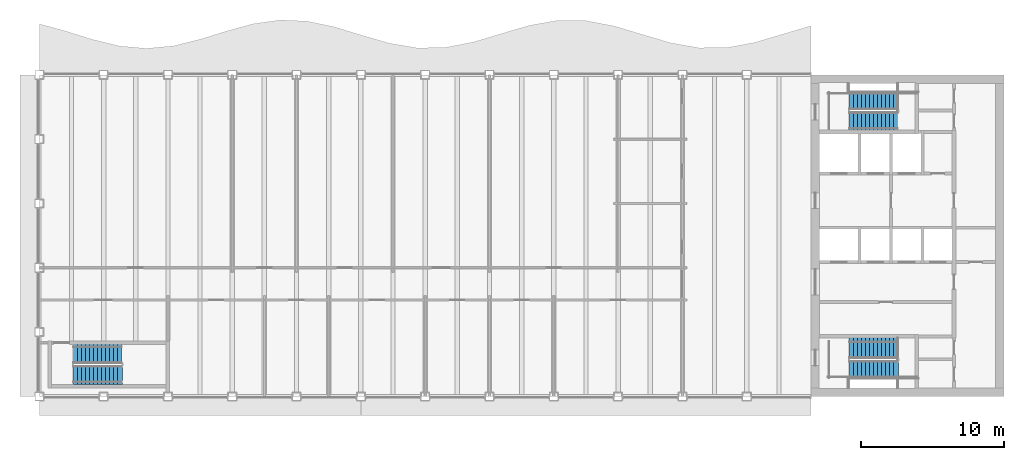
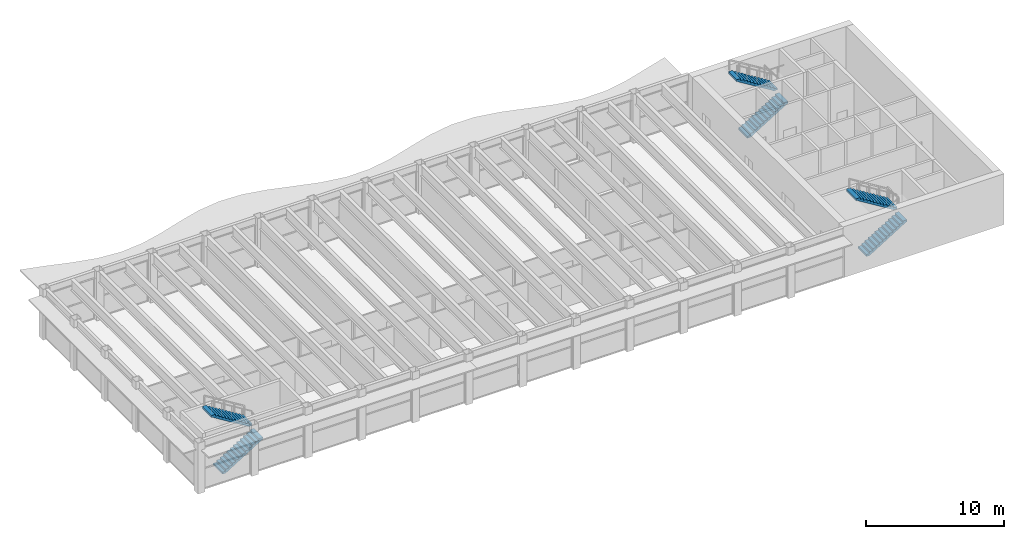
# One storey, part 11 of 14: 6 stair flights, 3 elements without a shape of their own.
"""IFC4 building model written with IfcOpenShell, lengths in metres."""

from ifc_helpers import new_model, si_unit, direction, frame, origin, place, context, subcontext, project, spatial, polyline, outline, extrude, material, type_object, element, aggregate, save


model = new_model("IFC4")

# Units and contexts
model_context = context("Model", 3, precision=1e-05, world=origin(), true_north=direction((0.0, 1.0)))
body_context = subcontext(model_context, "Body", "Model", "MODEL_VIEW")
ifc_project = project(units=[si_unit("LENGTHUNIT", "METRE"), si_unit("AREAUNIT", "SQUARE_METRE"), si_unit("VOLUMEUNIT", "CUBIC_METRE"), si_unit("PLANEANGLEUNIT", "RADIAN"), si_unit("MASSUNIT", "GRAM", prefix="KILO")], contexts=[model_context])

# Site, building, storey
site_placement = place(None, origin())
site = spatial("IfcSite", under=ifc_project, at=site_placement, CompositionType="ELEMENT")
building_placement = place(site_placement, origin())
building = spatial("IfcBuilding", under=site, at=building_placement, Name="Sennacour Bend Tower", CompositionType="ELEMENT")
storey_placement = place(building_placement, frame((0.0, 0.0, 336.5)))
storey = spatial("IfcBuildingStorey", under=building, at=storey_placement, Name="L77", CompositionType="ELEMENT", Elevation=336.5)

# Stair, stair flights
ifc_material = material(Name="Concrete C40/50", Category="concrete")
stair_type = type_object("IfcStairType", Name="ST-DOGLEG", PredefinedType="HALF_TURN_STAIR", material=ifc_material)
stair_1_placement = place(storey_placement, origin())
stair_1 = element("IfcStair", 1, at=stair_1_placement, inside=storey, type_object=stair_type, Name="L77 Exit stair A1", PredefinedType="HALF_TURN_STAIR")
stair_flight_type = type_object("IfcStairFlightType", Name="SFL-RC", PredefinedType="STRAIGHT", material=ifc_material)
stair_flight_1_placement = place(storey_placement, frame((56.699951171875, 1.89990234375, 0.0), z_axis=(0.0, 0.0, 1.0), x_axis=(1.0, 0.0, 0.0)))
stair_flight_1 = element("IfcStairFlight", 2, at=stair_flight_1_placement, type_object=stair_flight_type, Name="SA1 flight 1", NumberOfRisers=13, NumberOfTreads=12, PredefinedType="STRAIGHT", RiserHeight=0.173076923, TreadLength=0.28, context=body_context, shape_type="SweptSolid", body=[
    extrude(outline(polyline([(0.0, 0.0), (0.0, 0.173095703125), (0.280029296875, 0.173095703125), (0.280029296875, 0.34619140625), (0.56005859375, 0.34619140625), (0.56005859375, 0.519287109375), (0.840087890625, 0.519287109375), (0.840087890625, 0.6923828125), (1.1201171875, 0.6923828125), (1.1201171875, 0.865478515625), (1.39990234375, 0.865478515625), (1.39990234375, 1.03857421875), (1.679931640625, 1.03857421875), (1.679931640625, 1.21142578125), (1.9599609375, 1.21142578125), (1.9599609375, 1.384521484375), (2.239990234375, 1.384521484375), (2.239990234375, 1.5576171875), (2.52001953125, 1.5576171875), (2.52001953125, 1.730712890625), (2.800048828125, 1.730712890625), (2.800048828125, 1.90380859375), (3.080078125, 1.90380859375), (3.080078125, 2.076904296875), (3.360107421875, 2.076904296875), (3.419921875, 2.076904296875), (3.419921875, 1.900634765625), (3.360107421875, 1.900634765625), (0.28515625, 0.0), (0.0, 0.0)])), frame((0.0, 0.60009765625, 0.0), z_axis=(0.0, -1.0, 0.0), x_axis=(1.0, 0.0, 0.0)), (0.0, 0.0, 1.0), 1.199951171875),
])
stair_flight_2_placement = place(storey_placement, frame((60.06005859375, 3.37744140625, 2.25), z_axis=(0.0, 0.0, 1.0), x_axis=(-1.0, 0.0, 0.0)))
stair_flight_2 = element("IfcStairFlight", 3, at=stair_flight_2_placement, type_object=stair_flight_type, Name="SA1 flight 2", NumberOfRisers=13, NumberOfTreads=12, PredefinedType="STRAIGHT", RiserHeight=0.173076923, TreadLength=0.28, context=body_context, shape_type="SweptSolid", body=[
    extrude(outline(polyline([(0.0, 0.0), (0.0, 0.173095703125), (0.280029296875, 0.173095703125), (0.280029296875, 0.34619140625), (0.56005859375, 0.34619140625), (0.56005859375, 0.519287109375), (0.840087890625, 0.519287109375), (0.840087890625, 0.6923828125), (1.1201171875, 0.6923828125), (1.1201171875, 0.865478515625), (1.39990234375, 0.865478515625), (1.39990234375, 1.03857421875), (1.679931640625, 1.03857421875), (1.679931640625, 1.21142578125), (1.9599609375, 1.21142578125), (1.9599609375, 1.384521484375), (2.239990234375, 1.384521484375), (2.239990234375, 1.5576171875), (2.52001953125, 1.5576171875), (2.52001953125, 1.730712890625), (2.800048828125, 1.730712890625), (2.800048828125, 1.90380859375), (3.080078125, 1.90380859375), (3.080078125, 2.076904296875), (3.360107421875, 2.076904296875), (3.419921875, 2.076904296875), (3.419921875, 1.900634765625), (3.360107421875, 1.900634765625), (0.28515625, 0.0), (0.0, 0.0)])), frame((0.0, 0.7275390625, 0.0), z_axis=(0.0, -1.0, 0.0), x_axis=(1.0, 0.0, 0.0)), (0.0, 0.0, 1.0), 1.455078125),
])
aggregate(stair_1, [stair_flight_1, stair_flight_2])

stair_2_placement = place(storey_placement, origin())
stair_2 = element("IfcStair", 4, at=stair_2_placement, inside=storey, type_object=stair_type, Name="L77 Exit stair A2", PredefinedType="HALF_TURN_STAIR")
stair_flight_3_placement = place(storey_placement, frame((56.699951171875, 19.24755859375, 0.0), z_axis=(0.0, 0.0, 1.0), x_axis=(1.0, 0.0, 0.0)))
stair_flight_3 = element("IfcStairFlight", 5, at=stair_flight_3_placement, type_object=stair_flight_type, Name="SA2 flight 1", NumberOfRisers=13, NumberOfTreads=12, PredefinedType="STRAIGHT", RiserHeight=0.173076923, TreadLength=0.28, context=body_context, shape_type="SweptSolid", body=[
    extrude(outline(polyline([(0.0, 0.0), (0.0, 0.173095703125), (0.280029296875, 0.173095703125), (0.280029296875, 0.34619140625), (0.56005859375, 0.34619140625), (0.56005859375, 0.519287109375), (0.840087890625, 0.519287109375), (0.840087890625, 0.6923828125), (1.1201171875, 0.6923828125), (1.1201171875, 0.865478515625), (1.39990234375, 0.865478515625), (1.39990234375, 1.03857421875), (1.679931640625, 1.03857421875), (1.679931640625, 1.21142578125), (1.9599609375, 1.21142578125), (1.9599609375, 1.384521484375), (2.239990234375, 1.384521484375), (2.239990234375, 1.5576171875), (2.52001953125, 1.5576171875), (2.52001953125, 1.730712890625), (2.800048828125, 1.730712890625), (2.800048828125, 1.90380859375), (3.080078125, 1.90380859375), (3.080078125, 2.076904296875), (3.360107421875, 2.076904296875), (3.419921875, 2.076904296875), (3.419921875, 1.900634765625), (3.360107421875, 1.900634765625), (0.28515625, 0.0), (0.0, 0.0)])), frame((0.0, 0.65234375, 0.0), z_axis=(0.0, -1.0, 0.0), x_axis=(1.0, 0.0, 0.0)), (0.0, 0.0, 1.0), 1.304931640625),
])
stair_flight_4_placement = place(storey_placement, frame((60.06005859375, 20.64990234375, 2.25), z_axis=(0.0, 0.0, 1.0), x_axis=(-1.0, 0.0, 0.0)))
stair_flight_4 = element("IfcStairFlight", 6, at=stair_flight_4_placement, type_object=stair_flight_type, Name="SA2 flight 2", NumberOfRisers=13, NumberOfTreads=12, PredefinedType="STRAIGHT", RiserHeight=0.173076923, TreadLength=0.28, context=body_context, shape_type="SweptSolid", body=[
    extrude(outline(polyline([(0.0, 0.0), (0.0, 0.173095703125), (0.280029296875, 0.173095703125), (0.280029296875, 0.34619140625), (0.56005859375, 0.34619140625), (0.56005859375, 0.519287109375), (0.840087890625, 0.519287109375), (0.840087890625, 0.6923828125), (1.1201171875, 0.6923828125), (1.1201171875, 0.865478515625), (1.39990234375, 0.865478515625), (1.39990234375, 1.03857421875), (1.679931640625, 1.03857421875), (1.679931640625, 1.21142578125), (1.9599609375, 1.21142578125), (1.9599609375, 1.384521484375), (2.239990234375, 1.384521484375), (2.239990234375, 1.5576171875), (2.52001953125, 1.5576171875), (2.52001953125, 1.730712890625), (2.800048828125, 1.730712890625), (2.800048828125, 1.90380859375), (3.080078125, 1.90380859375), (3.080078125, 2.076904296875), (3.360107421875, 2.076904296875), (3.419921875, 2.076904296875), (3.419921875, 1.900634765625), (3.360107421875, 1.900634765625), (0.28515625, 0.0), (0.0, 0.0)])), frame((0.0, 0.60009765625, 0.0), z_axis=(0.0, -1.0, 0.0), x_axis=(1.0, 0.0, 0.0)), (0.0, 0.0, 1.0), 1.199951171875),
])
aggregate(stair_2, [stair_flight_3, stair_flight_4])

stair_3_placement = place(storey_placement, origin())
stair_3 = element("IfcStair", 7, at=stair_3_placement, inside=storey, type_object=stair_type, Name="L77 Exit stair K1", PredefinedType="HALF_TURN_STAIR")
stair_flight_5_placement = place(storey_placement, frame((2.39990234375, 1.485107421875, 0.0), z_axis=(0.0, 0.0, 1.0), x_axis=(1.0, 0.0, 0.0)))
stair_flight_5 = element("IfcStairFlight", 8, at=stair_flight_5_placement, type_object=stair_flight_type, Name="SK1 flight 1", NumberOfRisers=13, NumberOfTreads=12, PredefinedType="STRAIGHT", RiserHeight=0.173076923, TreadLength=0.28, context=body_context, shape_type="SweptSolid", body=[
    extrude(outline(polyline([(0.0, 0.0), (0.0, 0.173095703125), (0.280029296875, 0.173095703125), (0.280029296875, 0.34619140625), (0.56005859375, 0.34619140625), (0.56005859375, 0.519287109375), (0.840087890625, 0.519287109375), (0.840087890625, 0.6923828125), (1.1201171875, 0.6923828125), (1.1201171875, 0.865478515625), (1.39990234375, 0.865478515625), (1.39990234375, 1.03857421875), (1.679931640625, 1.03857421875), (1.679931640625, 1.21142578125), (1.9599609375, 1.21142578125), (1.9599609375, 1.384521484375), (2.239990234375, 1.384521484375), (2.239990234375, 1.5576171875), (2.52001953125, 1.5576171875), (2.52001953125, 1.730712890625), (2.800048828125, 1.730712890625), (2.800048828125, 1.90380859375), (3.080078125, 1.90380859375), (3.080078125, 2.076904296875), (3.360107421875, 2.076904296875), (3.419921875, 2.076904296875), (3.419921875, 1.900634765625), (3.360107421875, 1.900634765625), (0.28515625, 0.0), (0.0, 0.0)])), frame((0.0, 0.6650390625, 0.0), z_axis=(0.0, -1.0, 0.0), x_axis=(1.0, 0.0, 0.0)), (0.0, 0.0, 1.0), 1.330078125),
])
stair_flight_6_placement = place(storey_placement, frame((5.760009765625, 2.9775390625, 2.25), z_axis=(0.0, 0.0, 1.0), x_axis=(-1.0, 0.0, 0.0)))
stair_flight_6 = element("IfcStairFlight", 9, at=stair_flight_6_placement, type_object=stair_flight_type, Name="SK1 flight 2", NumberOfRisers=13, NumberOfTreads=12, PredefinedType="STRAIGHT", RiserHeight=0.173076923, TreadLength=0.28, context=body_context, shape_type="SweptSolid", body=[
    extrude(outline(polyline([(0.0, 0.0), (0.0, 0.173095703125), (0.280029296875, 0.173095703125), (0.280029296875, 0.34619140625), (0.56005859375, 0.34619140625), (0.56005859375, 0.519287109375), (0.840087890625, 0.519287109375), (0.840087890625, 0.6923828125), (1.1201171875, 0.6923828125), (1.1201171875, 0.865478515625), (1.39990234375, 0.865478515625), (1.39990234375, 1.03857421875), (1.679931640625, 1.03857421875), (1.679931640625, 1.21142578125), (1.9599609375, 1.21142578125), (1.9599609375, 1.384521484375), (2.239990234375, 1.384521484375), (2.239990234375, 1.5576171875), (2.52001953125, 1.5576171875), (2.52001953125, 1.730712890625), (2.800048828125, 1.730712890625), (2.800048828125, 1.90380859375), (3.080078125, 1.90380859375), (3.080078125, 2.076904296875), (3.360107421875, 2.076904296875), (3.419921875, 2.076904296875), (3.419921875, 1.900634765625), (3.360107421875, 1.900634765625), (0.28515625, 0.0), (0.0, 0.0)])), frame((0.0, 0.677490234375, 0.0), z_axis=(0.0, -1.0, 0.0), x_axis=(1.0, 0.0, 0.0)), (0.0, 0.0, 1.0), 1.35498046875),
])
aggregate(stair_3, [stair_flight_5, stair_flight_6])

save(model, "model.ifc")
